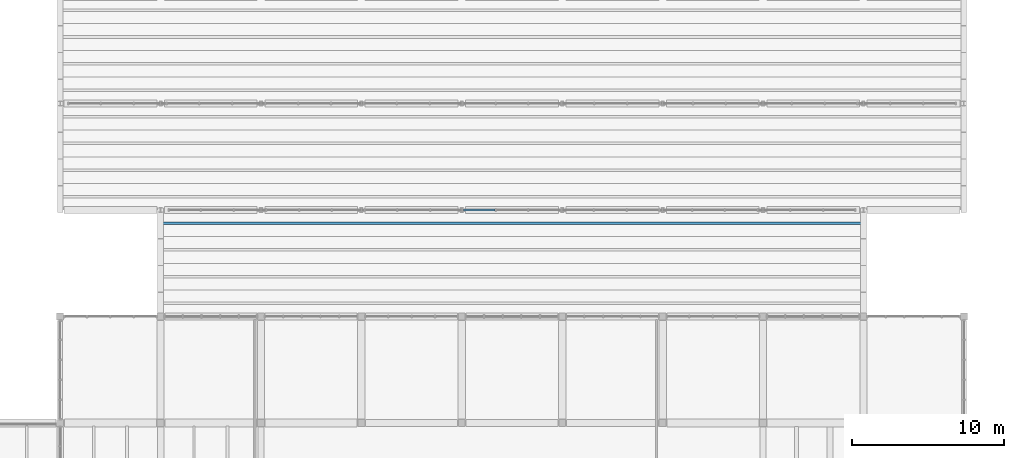
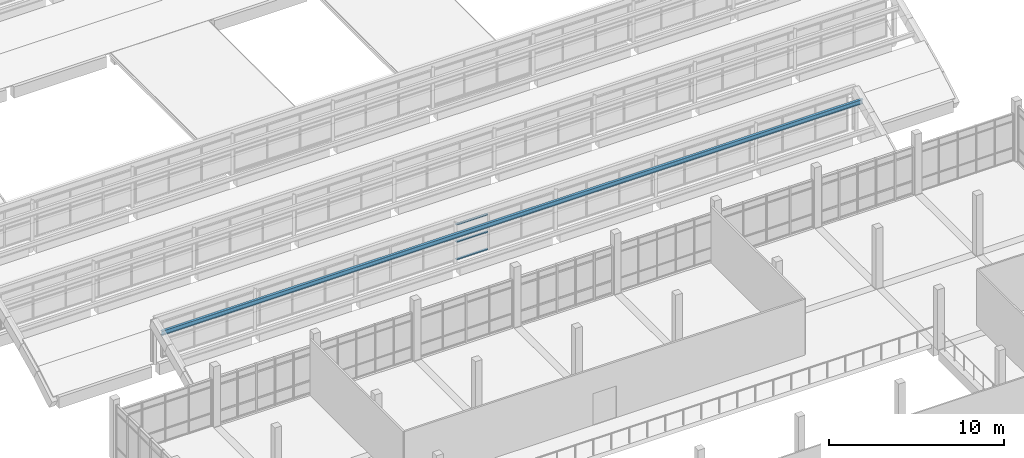
# One storey, part 19 of 92: 4 members, 1 element without a shape of its own.
"""IFC4 building model written with IfcOpenShell, lengths in metres."""

import ifcopenshell
import ifcopenshell.guid

model = None  # the IFC model being written
_history = None  # IfcOwnerHistory: only IFC2X3 demands one
_inside = {}  # id of a spatial element -> (the spatial element, [elements in it])
_under = {}  # id of a project, library or spatial element -> (it, [spatial elements below it])
_declared = {}  # id of a project -> (the project, [libraries it declares])
_typed = {}  # id of a type object -> (the type object, [elements of that type])
_made_of = {}  # id of a material, layer set ... -> (it, [elements and type objects made of it])


def new_model(schema):
    """Start an empty IFC model of exactly this schema.

    Asked for "IFC4X3", IfcOpenShell would pick the latest addendum, in which some entities
    have other attributes; the version numbers below select the first issue.
    IFC2X3 requires an IfcOwnerHistory on every rooted entity: one is made here for all.
    """
    global model, _history
    if schema == "IFC4X3":
        model = ifcopenshell.file(schema_version=(4, 3, 0, 0))
    else:
        model = ifcopenshell.file(schema=schema)
    _inside.clear()
    _under.clear()
    _declared.clear()
    _typed.clear()
    _made_of.clear()
    _history = None
    if model.schema == "IFC2X3":
        org = make("IfcOrganization", Name="unknown")
        user = make(
            "IfcPersonAndOrganization",
            ThePerson=make("IfcPerson", FamilyName="unknown"),
            TheOrganization=org,
        )
        app = make(
            "IfcApplication",
            ApplicationDeveloper=org,
            Version="unknown",
            ApplicationFullName="unknown",
            ApplicationIdentifier="unknown",
        )
        _history = make(
            "IfcOwnerHistory",
            OwningUser=user,
            OwningApplication=app,
            ChangeAction="ADDED",
            CreationDate=0,
        )
    return model


def make(cls, **values):
    """One entity of the class cls with the attributes given. An attribute that is None is left unset."""
    return model.create_entity(
        cls, **{name: value for name, value in values.items() if value is not None}
    )


def rooted(cls, **values):
    """An entity with a GlobalId (a new one), such as an element, a storey or a relation."""
    return make(cls, GlobalId=ifcopenshell.guid.new(), OwnerHistory=_history, **values)


def si_unit(unit_type, name, prefix=None):
    """IfcSIUnit, for example si_unit("LENGTHUNIT", "METRE", prefix="MILLI")."""
    return make("IfcSIUnit", UnitType=unit_type, Prefix=prefix, Name=name)


def assignment(units):
    """IfcUnitAssignment: the units of a project."""
    return None if units is None else make("IfcUnitAssignment", Units=units)


def point(xyz):
    """IfcCartesianPoint."""
    return None if xyz is None else make("IfcCartesianPoint", Coordinates=xyz)


def direction(xyz):
    """IfcDirection."""
    return None if xyz is None else make("IfcDirection", DirectionRatios=xyz)


def frame(location, z_axis=None, x_axis=None):
    """IfcAxis2Placement3D, a coordinate frame: its origin and axes. An axis left out is left unset."""
    return make(
        "IfcAxis2Placement3D",
        Location=point(location),
        Axis=direction(z_axis),
        RefDirection=direction(x_axis),
    )


def frame_2d(location, x_axis=None):
    """IfcAxis2Placement2D, a coordinate frame in the plane: its origin and x axis."""
    return make(
        "IfcAxis2Placement2D", Location=point(location), RefDirection=direction(x_axis)
    )


def origin():
    """The frame at (0, 0, 0) with its axes left unset."""
    return frame((0.0, 0.0, 0.0))


def origin_2d():
    """The frame at (0, 0) in the plane with its x axis left unset."""
    return frame_2d((0.0, 0.0))


def place(relative_to, where):
    """IfcLocalPlacement: puts the frame where relative to a parent placement (None: the world)."""
    return make(
        "IfcLocalPlacement", PlacementRelTo=relative_to, RelativePlacement=where
    )


def context(
    kind, dimensions, precision=None, world=None, true_north=None, identifier=None
):
    """IfcGeometricRepresentationContext, for example the 3D "Model" context."""
    return make(
        "IfcGeometricRepresentationContext",
        ContextIdentifier=identifier,
        ContextType=kind,
        CoordinateSpaceDimension=dimensions,
        Precision=precision,
        WorldCoordinateSystem=world,
        TrueNorth=true_north,
    )


def subcontext(parent, identifier, kind, view, scale=None):
    """IfcGeometricRepresentationSubContext, for example "Body" below "Model"."""
    return make(
        "IfcGeometricRepresentationSubContext",
        ContextIdentifier=identifier,
        ContextType=kind,
        ParentContext=parent,
        TargetScale=scale,
        TargetView=view,
    )


def project(units=None, contexts=None):
    """IfcProject with its units and contexts."""
    return rooted(
        "IfcProject",
        Name="project",
        RepresentationContexts=contexts,
        UnitsInContext=assignment(units),
    )


def spatial(cls, under=None, at=None, **own):
    """A site, building, storey or space (cls), placed at a placement, below another one or the project."""
    s = rooted(cls, ObjectPlacement=at, **own)
    if under is not None:
        _under.setdefault(under.id(), (under, []))[1].append(s)
    return s


def profile(cls, at=None, kind="AREA", **sizes):
    """A parametric profile (cls). Its sizes go by their IFC names, for example OverallWidth=200.0."""
    return make(cls, ProfileType=kind, Position=at, **sizes)


def rectangle(**sizes):
    """IfcRectangleProfileDef."""
    return profile("IfcRectangleProfileDef", **sizes)


def i_section(**sizes):
    """IfcIShapeProfileDef."""
    return profile("IfcIShapeProfileDef", **sizes)


def extrude(swept, where, along, depth):
    """IfcExtrudedAreaSolid: the profile swept, set in the frame where, extruded along a direction by depth."""
    return make(
        "IfcExtrudedAreaSolid",
        SweptArea=swept,
        Position=where,
        ExtrudedDirection=direction(along),
        Depth=depth,
    )


def shape(context_of_items, identifier, shape_type, items):
    """IfcShapeRepresentation: the items that make up one representation, for example the "Body"."""
    return make(
        "IfcShapeRepresentation",
        ContextOfItems=context_of_items,
        RepresentationIdentifier=identifier,
        RepresentationType=shape_type,
        Items=items,
    )


def material(Name=None, Category=None):
    """IfcMaterial."""
    return make("IfcMaterial", Name=Name, Category=Category)


def material_profile(
    of_material, cross_section, Name=None, Category=None, Priority=None
):
    """IfcMaterialProfile: a cross section and its material."""
    return make(
        "IfcMaterialProfile",
        Name=Name,
        Material=of_material,
        Profile=cross_section,
        Priority=Priority,
        Category=Category,
    )


def profile_set(profiles, Name=None, composite=None):
    """IfcMaterialProfileSet."""
    return make(
        "IfcMaterialProfileSet",
        Name=Name,
        MaterialProfiles=profiles,
        CompositeProfile=composite,
    )


def made_of(thing, what):
    """Note that an element or type object is made of a material, layer set ...; save() writes the relation."""
    if what is not None:
        _made_of.setdefault(what.id(), (what, []))[1].append(thing)
    return thing


def type_object(cls, material=None, **own):
    """A type object (cls), such as IfcWallType, which elements share."""
    return made_of(rooted(cls, **own), material)


def element(
    cls,
    number,
    at=None,
    inside=None,
    cuts=None,
    type_object=None,
    material=None,
    context=None,
    identifier="Body",
    shape_type=None,
    held_by="IfcProductDefinitionShape",
    body=None,
    shapes=None,
    **own,
):
    """One element of the class cls, such as IfcWall. Its Tag is "e" and its number.

    at: its placement. inside: the storey or other place that contains it. cuts: it is an
    opening in that element (IfcRelVoidsElement). A single representation is given by context,
    identifier, shape_type and body (its items); several are given by shapes. held_by: the class
    of the entity that holds the representations. save() writes the other relations.
    """
    e = rooted(cls, Tag="e%d" % number, ObjectPlacement=at, **own)
    if body is not None:
        shapes = [shape(context, identifier, shape_type, body)]
    if shapes is not None:
        e.Representation = make(held_by, Representations=shapes)
    if inside is not None:
        _inside.setdefault(inside.id(), (inside, []))[1].append(e)
    if cuts is not None:
        rooted(
            "IfcRelVoidsElement", RelatingBuildingElement=cuts, RelatedOpeningElement=e
        )
    if type_object is not None:
        _typed.setdefault(type_object.id(), (type_object, []))[1].append(e)
    return made_of(e, material)


def aggregate(whole, parts):
    """IfcRelAggregates: a whole, such as a stair, and the parts it consists of."""
    return rooted("IfcRelAggregates", RelatingObject=whole, RelatedObjects=parts)


def save(model, path):
    """Write the relations noted so far, then the file.

    IfcRelAggregates (storeys below a building ...), IfcRelContainedInSpatialStructure (elements
    in a storey), IfcRelDefinesByType, IfcRelAssociatesMaterial and IfcRelDeclares: one each for
    every whole, place, type object, material and project.
    """
    for whole, parts in _under.values():
        aggregate(whole, parts)
    for where, things in _inside.values():
        rooted(
            "IfcRelContainedInSpatialStructure",
            RelatedElements=things,
            RelatingStructure=where,
        )
    for kind, things in _typed.values():
        rooted("IfcRelDefinesByType", RelatedObjects=things, RelatingType=kind)
    for what, things in _made_of.values():
        rooted("IfcRelAssociatesMaterial", RelatedObjects=things, RelatingMaterial=what)
    for by, libraries in _declared.values():
        rooted("IfcRelDeclares", RelatingContext=by, RelatedDefinitions=libraries)
    model.write(path)


model = new_model("IFC4")

# Units and contexts
model_context = context("Model", 3, precision=1e-05, world=origin(), true_north=direction((0.0, 1.0)))
body_context = subcontext(model_context, "Body", "Model", "MODEL_VIEW")
ifc_project = project(units=[si_unit("LENGTHUNIT", "METRE"), si_unit("AREAUNIT", "SQUARE_METRE"), si_unit("VOLUMEUNIT", "CUBIC_METRE"), si_unit("PLANEANGLEUNIT", "RADIAN"), si_unit("MASSUNIT", "GRAM", prefix="KILO")], contexts=[model_context])

# Site, building, storey
site_placement = place(None, origin())
site = spatial("IfcSite", under=ifc_project, at=site_placement, CompositionType="ELEMENT")
building_placement = place(site_placement, origin())
building = spatial("IfcBuilding", under=site, at=building_placement, Name="Ciguamira Faculty of Natural Sciences", CompositionType="ELEMENT")
storey_placement = place(building_placement, frame((0.0, 0.0, 16.800048828125)))
storey = spatial("IfcBuildingStorey", under=building, at=storey_placement, Name="L04", CompositionType="ELEMENT", Elevation=16.800048828125)

# Curtain wall, members
ifc_material_1 = material(Name="Anodized aluminium curtain wall", Category="aluminium")
curtain_wall_type = type_object("IfcCurtainWallType", Name="CurtainWall_CW-02", PredefinedType="USERDEFINED", material=ifc_material_1)
curtain_wall_placement = place(storey_placement, origin())
curtain_wall = element("IfcCurtainWall", 1, at=curtain_wall_placement, inside=storey, type_object=curtain_wall_type, Name="V4 north-light wave 1 clerestory glazing 1", ObjectType="UNITISED CURTAIN WALL", PredefinedType="USERDEFINED")
ifc_material_2 = material(Name="Anodized aluminium transom", Category="aluminium")
ifc_material_profile_1 = material_profile(ifc_material_2, rectangle(XDim=0.070068359375, YDim=0.139892578125, at=origin_2d()), Name="ALU-TRN-70X140")
ifc_profile_set_1 = profile_set([ifc_material_profile_1], Name="Anodized aluminium transom")
member_type_1 = type_object("IfcMemberType", Name="CWTransom_CWT-02", PredefinedType="USERDEFINED", material=ifc_profile_set_1)
member_1_placement = place(storey_placement, frame((83.806396484375, 45.0, 0.284912109375), z_axis=(1.0, 0.0, 0.0), x_axis=(0.0, 0.0, 1.0)))
member_1 = element("IfcMember", 2, at=member_1_placement, type_object=member_type_1, Name="CW-02 transom 10.1", ObjectType="TRANSOM", PredefinedType="USERDEFINED", context=body_context, shape_type="SweptSolid", body=[
    extrude(rectangle(XDim=0.070068359375, YDim=0.139892578125, at=origin_2d()), origin(), (0.0, 0.0, 1.0), 2.08251953125),
])
member_2_placement = place(storey_placement, frame((83.806396484375, 45.0, 1.5), z_axis=(1.0, 0.0, 0.0), x_axis=(0.0, 0.0, 1.0)))
member_2 = element("IfcMember", 3, at=member_2_placement, type_object=member_type_1, Name="CW-02 transom 10.2", ObjectType="TRANSOM", PredefinedType="USERDEFINED", context=body_context, shape_type="SweptSolid", body=[
    extrude(rectangle(XDim=0.070068359375, YDim=0.139892578125, at=origin_2d()), origin(), (0.0, 0.0, 1.0), 2.08251953125),
])
member_3_placement = place(storey_placement, frame((83.806396484375, 45.0, 2.71484375), z_axis=(1.0, 0.0, 0.0), x_axis=(0.0, 0.0, 1.0)))
member_3 = element("IfcMember", 4, at=member_3_placement, type_object=member_type_1, Name="CW-02 transom 10.3", ObjectType="TRANSOM", PredefinedType="USERDEFINED", context=body_context, shape_type="SweptSolid", body=[
    extrude(rectangle(XDim=0.070068359375, YDim=0.139892578125, at=origin_2d()), origin(), (0.0, 0.0, 1.0), 2.08251953125),
])
aggregate(curtain_wall, [member_1, member_2, member_3])

# Member
ifc_material_3 = material(Name="Steel ASTM A992 Grade 50", Category="steel")
ifc_material_profile_2 = material_profile(ifc_material_3, i_section(OverallWidth=0.164794921875, OverallDepth=0.309814453125, WebThickness=0.005859375, FlangeThickness=0.009765625, at=origin_2d()), Name="W12X26")
ifc_profile_set_2 = profile_set([ifc_material_profile_2], Name="Steel ASTM A992 Grade 50")
member_type_2 = type_object("IfcMemberType", Name="SteelMember_PR-02_W12X26", PredefinedType="PURLIN", material=ifc_profile_set_2)
member_4_placement = place(storey_placement, frame((63.89990234375, 44.125, 2.65625), z_axis=(1.0, 0.0, 0.0), x_axis=(0.0, 1.0, 0.0)))
element("IfcMember", 5, at=member_4_placement, inside=storey, type_object=member_type_2, Name="V4 wave roof steel purlin 1-1-4", PredefinedType="PURLIN", context=body_context, shape_type="SweptSolid", body=[
    extrude(i_section(OverallWidth=0.164794921875, OverallDepth=0.309814453125, WebThickness=0.005859375, FlangeThickness=0.009765625, at=origin_2d()), origin(), (0.0, 0.0, 1.0), 46.2001953125),
])

save(model, "model.ifc")
